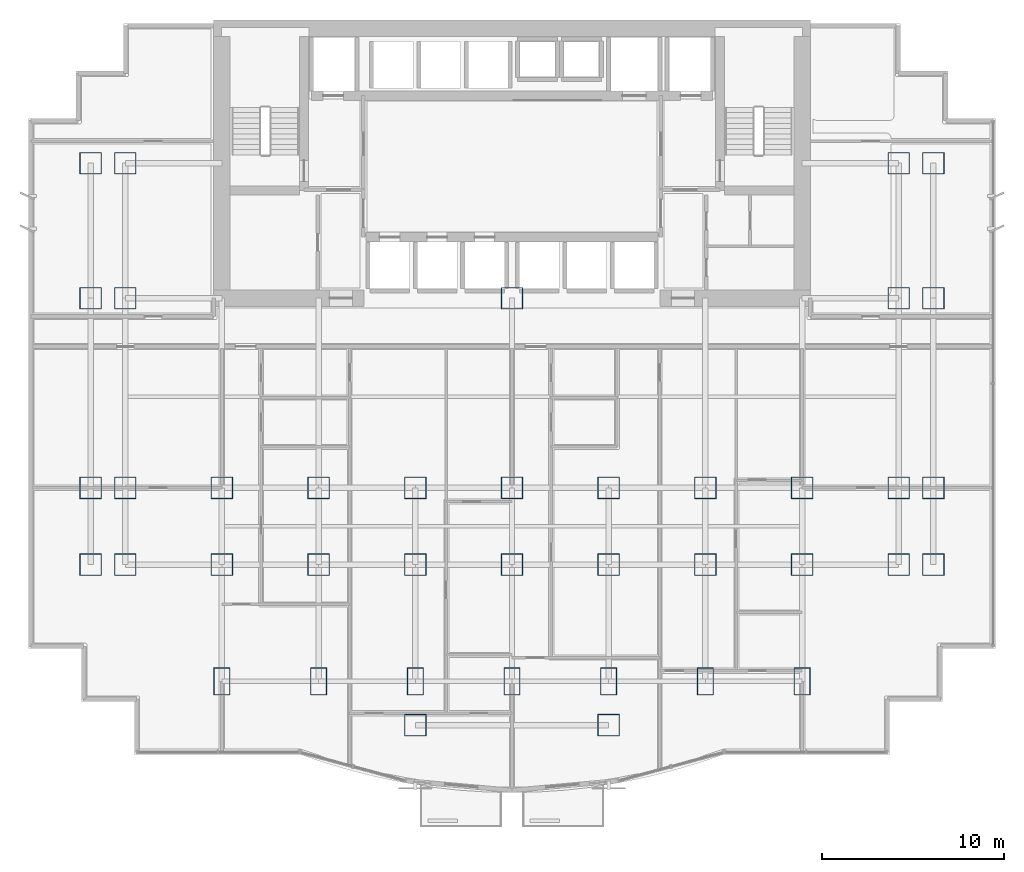
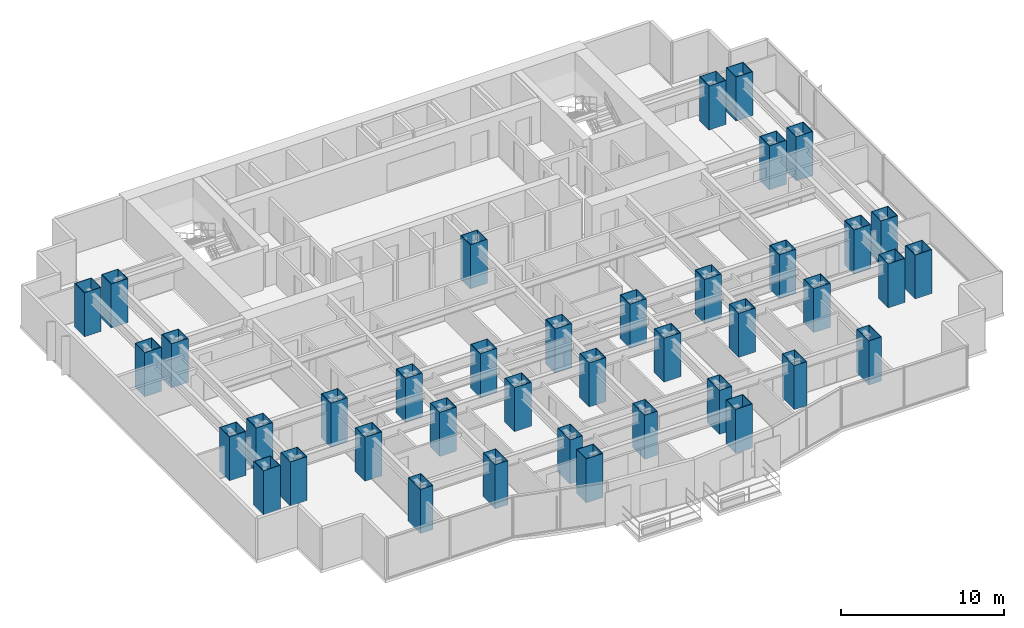
# One storey, part 1 of 12: 40 columns.
"""IFC4 building model written with IfcOpenShell, lengths in metres."""

from ifc_helpers import new_model, si_unit, direction, frame, origin, origin_2d, place, context, subcontext, project, spatial, hollow_rectangle, extrude, material, material_profile, profile_set, type_object, element, save


model = new_model("IFC4")

# Units and contexts
model_context = context("Model", 3, precision=1e-05, world=origin(), true_north=direction((0.0, 1.0)))
body_context = subcontext(model_context, "Body", "Model", "MODEL_VIEW")
ifc_project = project(units=[si_unit("LENGTHUNIT", "METRE"), si_unit("AREAUNIT", "SQUARE_METRE"), si_unit("VOLUMEUNIT", "CUBIC_METRE"), si_unit("PLANEANGLEUNIT", "RADIAN"), si_unit("MASSUNIT", "GRAM", prefix="KILO")], contexts=[model_context])

# Site, building, storey
site_placement = place(None, origin())
site = spatial("IfcSite", under=ifc_project, at=site_placement, CompositionType="ELEMENT")
building_placement = place(site_placement, origin())
building = spatial("IfcBuilding", under=site, at=building_placement, Name="Qianlan Lanfeng Residences", CompositionType="ELEMENT")
storey_placement = place(building_placement, frame((0.0, 0.0, 44.0)))
storey = spatial("IfcBuildingStorey", under=building, at=storey_placement, Name="L11", CompositionType="ELEMENT", Elevation=44.0)

# Columns
ifc_material_1 = material(Name="Steel SM570 (420 MPa)", Category="steel")
ifc_material_profile_1 = material_profile(ifc_material_1, hollow_rectangle(XDim=1.199951171875, YDim=1.199951171875, WallThickness=0.0400390625, at=origin_2d()), Name="BOX 1200x1200x40")
ifc_profile_set_1 = profile_set([ifc_material_profile_1], Name="Steel SM570 (420 MPa)")
column_type_1 = type_object("IfcColumnType", Name="C-B1400", PredefinedType="COLUMN", material=ifc_profile_set_1)
for number, where, z_axis, x_axis, name in (
    (1, (26.5, 25.199951171875, 0.0), (0.0, 0.0, 1.0), (1.0, 0.0, 0.0), "L11 Structural Column CP_26.5_25.2"),
    (2, (10.60009765625, 14.800048828125, 0.0), (0.0, 0.0, 1.0), (1.0, 0.0, 0.0), "L11 Structural Column M_10.60_14.80"),
    (3, (10.60009765625, 10.60009765625, 0.0), (0.0, 0.0, 1.0), (1.0, 0.0, 0.0), "L11 Structural Column G_10.60_10.60"),
    (4, (15.89990234375, 14.800048828125, 0.0), (0.0, 0.0, 1.0), (1.0, 0.0, 0.0), "L11 Structural Column M_15.90_14.80"),
    (5, (15.89990234375, 10.60009765625, 0.0), (0.0, 0.0, 1.0), (1.0, 0.0, 0.0), "L11 Structural Column G_15.90_10.60"),
    (6, (21.199951171875, 14.800048828125, 0.0), (0.0, 0.0, 1.0), (1.0, 0.0, 0.0), "L11 Structural Column M_21.20_14.80"),
    (7, (21.199951171875, 10.60009765625, 0.0), (0.0, 0.0, 1.0), (1.0, 0.0, 0.0), "L11 Structural Column G_21.20_10.60"),
    (8, (26.5, 14.800048828125, 0.0), (0.0, 0.0, 1.0), (1.0, 0.0, 0.0), "L11 Structural Column M_26.50_14.80"),
    (9, (26.5, 10.60009765625, 0.0), (0.0, 0.0, 1.0), (1.0, 0.0, 0.0), "L11 Structural Column G_26.50_10.60"),
    (10, (31.800048828125, 14.800048828125, 0.0), (0.0, 0.0, 1.0), (1.0, 0.0, 0.0), "L11 Structural Column M_31.80_14.80"),
    (11, (31.800048828125, 10.60009765625, 0.0), (0.0, 0.0, 1.0), (1.0, 0.0, 0.0), "L11 Structural Column G_31.80_10.60"),
    (12, (37.10009765625, 14.800048828125, 0.0), (0.0, 0.0, 1.0), (1.0, 0.0, 0.0), "L11 Structural Column M_37.10_14.80"),
    (13, (37.10009765625, 10.60009765625, 0.0), (0.0, 0.0, 1.0), (1.0, 0.0, 0.0), "L11 Structural Column G_37.10_10.60"),
    (14, (42.39990234375, 14.800048828125, 0.0), (0.0, 0.0, 1.0), (1.0, 0.0, 0.0), "L11 Structural Column M_42.40_14.80"),
    (15, (42.39990234375, 10.60009765625, 0.0), (0.0, 0.0, 1.0), (1.0, 0.0, 0.0), "L11 Structural Column G_42.40_10.60"),
    (16, (21.199951171875, 1.800048828125, 0.0), (0.0, 0.0, 1.0), (1.0, 0.0, 0.0), "L11 Structural Column P_21.20_1.80"),
    (17, (31.800048828125, 1.800048828125, 0.0), (0.0, 0.0, 1.0), (1.0, 0.0, 0.0), "L11 Structural Column P_31.80_1.80"),
    (18, (3.39990234375, 10.60009765625, 0.0), (0.0, 0.0, 1.0), (1.0, 0.0, 0.0), "L11 Structural Column W_3.40_10.60"),
    (19, (3.39990234375, 14.800048828125, 0.0), (0.0, 0.0, 1.0), (1.0, 0.0, 0.0), "L11 Structural Column W_3.40_14.80"),
    (20, (3.39990234375, 25.199951171875, 0.0), (0.0, 0.0, 1.0), (1.0, 0.0, 0.0), "L11 Structural Column W_3.40_25.20"),
    (21, (3.39990234375, 32.60009765625, 0.0), (0.0, 0.0, 1.0), (1.0, 0.0, 0.0), "L11 Structural Column W_3.40_32.60"),
    (22, (5.300048828125, 10.60009765625, 0.0), (0.0, 0.0, 1.0), (1.0, 0.0, 0.0), "L11 Structural Column W_5.30_10.60"),
    (23, (5.300048828125, 14.800048828125, 0.0), (0.0, 0.0, 1.0), (1.0, 0.0, 0.0), "L11 Structural Column W_5.30_14.80"),
    (24, (5.300048828125, 25.199951171875, 0.0), (0.0, 0.0, 1.0), (1.0, 0.0, 0.0), "L11 Structural Column W_5.30_25.20"),
    (25, (5.300048828125, 32.60009765625, 0.0), (0.0, 0.0, 1.0), (1.0, 0.0, 0.0), "L11 Structural Column W_5.30_32.60"),
    (26, (47.699951171875, 10.60009765625, 0.0), (0.0, 0.0, 1.0), (1.0, 0.0, 0.0), "L11 Structural Column W_47.70_10.60"),
    (27, (47.699951171875, 14.800048828125, 0.0), (0.0, 0.0, 1.0), (1.0, 0.0, 0.0), "L11 Structural Column W_47.70_14.80"),
    (28, (47.699951171875, 25.199951171875, 0.0), (0.0, 0.0, 1.0), (1.0, 0.0, 0.0), "L11 Structural Column W_47.70_25.20"),
    (29, (47.699951171875, 32.60009765625, 0.0), (0.0, 0.0, 1.0), (1.0, 0.0, 0.0), "L11 Structural Column W_47.70_32.60"),
    (30, (49.60009765625, 10.60009765625, 0.0), (0.0, 0.0, 1.0), (1.0, 0.0, 0.0), "L11 Structural Column W_49.60_10.60"),
    (31, (49.60009765625, 14.800048828125, 0.0), (0.0, 0.0, 1.0), (1.0, 0.0, 0.0), "L11 Structural Column W_49.60_14.80"),
    (32, (49.60009765625, 25.199951171875, 0.0), (0.0, 0.0, 1.0), (1.0, 0.0, 0.0), "L11 Structural Column W_49.60_25.20"),
    (33, (49.60009765625, 32.60009765625, 0.0), (0.0, 0.0, 1.0), (1.0, 0.0, 0.0), "L11 Structural Column W_49.60_32.60"),
):
    element("IfcColumn", number, at=place(storey_placement, frame(where, z_axis=z_axis, x_axis=x_axis)), inside=storey, type_object=column_type_1, Name=name, PredefinedType="COLUMN", context=body_context, shape_type="SweptSolid", body=[
        extrude(hollow_rectangle(XDim=1.199951171875, YDim=1.199951171875, WallThickness=0.0400390625, at=origin_2d()), origin(), (0.0, 0.0, 1.0), 3.300048828125),
    ])
ifc_material_2 = material(Name="Steel SN490B", Category="steel")
ifc_material_profile_2 = material_profile(ifc_material_2, hollow_rectangle(XDim=0.89990234375, YDim=1.5, WallThickness=0.035888671875, at=origin_2d()), Name="BOX 1500x900x36")
ifc_profile_set_2 = profile_set([ifc_material_profile_2], Name="Steel SN490B")
column_type_2 = type_object("IfcColumnType", Name="CE-B1250", PredefinedType="COLUMN", material=ifc_profile_set_2)
for number, where, z_axis, x_axis, name in (
    (34, (10.60009765625, 4.199951171875, 0.0), (0.0, 0.0, 1.0), (1.0, 0.0, 0.0), "L11 Structural Column S_10.60_4.20"),
    (35, (15.89990234375, 4.199951171875, 0.0), (0.0, 0.0, 1.0), (1.0, 0.0, 0.0), "L11 Structural Column S_15.90_4.20"),
    (36, (21.199951171875, 4.199951171875, 0.0), (0.0, 0.0, 1.0), (1.0, 0.0, 0.0), "L11 Structural Column S_21.20_4.20"),
    (37, (26.5, 4.199951171875, 0.0), (0.0, 0.0, 1.0), (1.0, 0.0, 0.0), "L11 Structural Column S_26.50_4.20"),
    (38, (31.800048828125, 4.199951171875, 0.0), (0.0, 0.0, 1.0), (1.0, 0.0, 0.0), "L11 Structural Column S_31.80_4.20"),
    (39, (37.10009765625, 4.199951171875, 0.0), (0.0, 0.0, 1.0), (1.0, 0.0, 0.0), "L11 Structural Column S_37.10_4.20"),
    (40, (42.39990234375, 4.199951171875, 0.0), (0.0, 0.0, 1.0), (1.0, 0.0, 0.0), "L11 Structural Column S_42.40_4.20"),
):
    element("IfcColumn", number, at=place(storey_placement, frame(where, z_axis=z_axis, x_axis=x_axis)), inside=storey, type_object=column_type_2, Name=name, PredefinedType="COLUMN", context=body_context, shape_type="SweptSolid", body=[
        extrude(hollow_rectangle(XDim=0.89990234375, YDim=1.5, WallThickness=0.035888671875, at=origin_2d()), origin(), (0.0, 0.0, 1.0), 3.300048828125),
    ])

save(model, "model.ifc")
